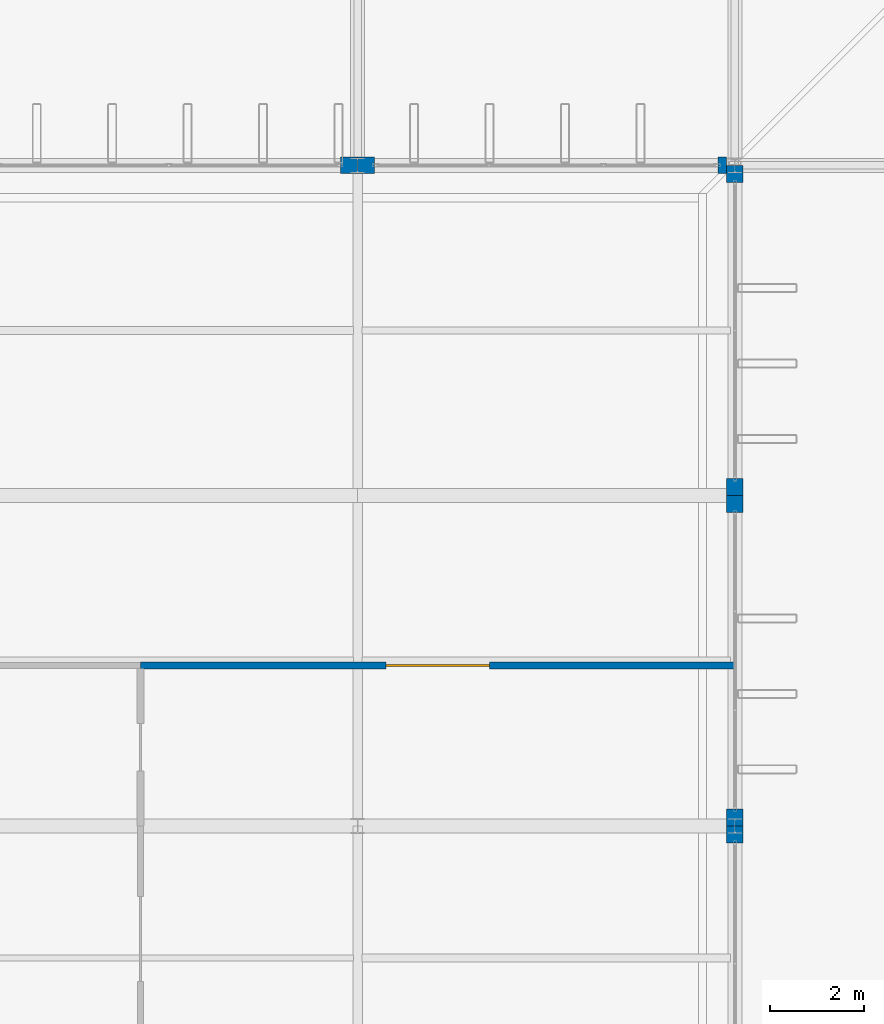
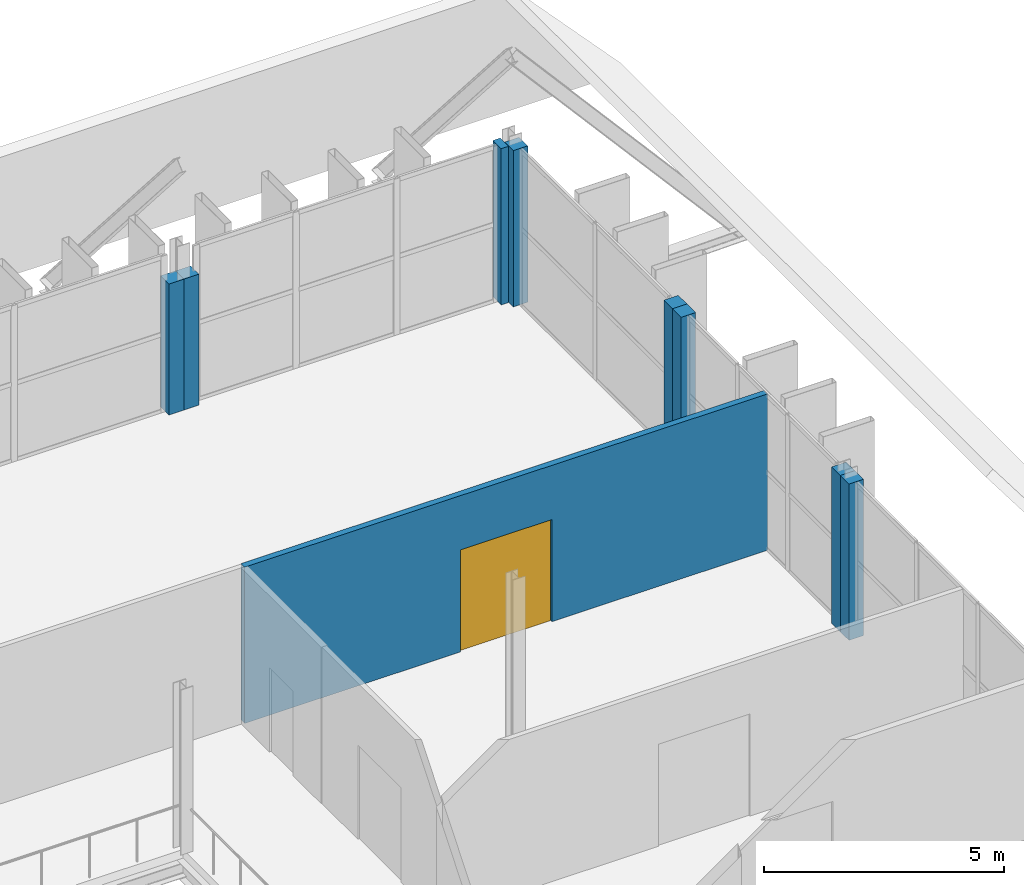
# One storey, part 83 of 93: 9 walls, 1 door, 1 opening.
"""IFC4 building model written with IfcOpenShell, lengths in metres."""

from ifc_helpers import new_model, si_unit, direction, frame, frame_2d, origin, place, context, subcontext, project, spatial, rectangle, extrude, material, layer, layer_set, type_object, element, fill, save


model = new_model("IFC4")

# Units and contexts
model_context = context("Model", 3, precision=1e-05, world=origin(), true_north=direction((0.0, 1.0)))
body_context = subcontext(model_context, "Body", "Model", "MODEL_VIEW")
ifc_project = project(units=[si_unit("LENGTHUNIT", "METRE"), si_unit("AREAUNIT", "SQUARE_METRE"), si_unit("VOLUMEUNIT", "CUBIC_METRE"), si_unit("PLANEANGLEUNIT", "RADIAN"), si_unit("MASSUNIT", "GRAM", prefix="KILO")], contexts=[model_context])

# Site, building, storey
site_placement = place(None, origin())
site = spatial("IfcSite", under=ifc_project, at=site_placement, CompositionType="ELEMENT")
building_placement = place(site_placement, origin())
building = spatial("IfcBuilding", under=site, at=building_placement, Name="Vekula Escarpment Museum", CompositionType="ELEMENT")
storey_placement = place(building_placement, frame((0.0, 0.0, 22.199951171875)))
storey = spatial("IfcBuildingStorey", under=building, at=storey_placement, Name="L05", CompositionType="ELEMENT", Elevation=22.199951171875)

# Walls
ifc_material_1 = material(Name="Inkisi arkosic sandstone masonry", Category="masonry")
ifc_layer_1 = layer(ifc_material_1, 0.35009765625)
ifc_layer_set_1 = layer_set([ifc_layer_1], Name="Inkisi arkosic sandstone masonry")
wall_type_1 = type_object("IfcWallType", Name="WL-ALM-350", PredefinedType="SOLIDWALL", material=ifc_layer_set_1)
wall_1_placement = place(storey_placement, frame((126.0, 76.0400390625, 0.0), z_axis=(0.0, 0.0, 1.0), x_axis=(0.0, 1.0, 0.0)))
element("IfcWall", 1, at=wall_1_placement, inside=storey, type_object=wall_type_1, Name="Facade Jamb Pier L05-0839B", PredefinedType="SOLIDWALL", context=body_context, shape_type="SweptSolid", body=[
    extrude(rectangle(XDim=0.35986328125, YDim=0.35009765625, at=frame_2d((0.179931640625, 0.0))), origin(), (0.0, 0.0, 1.0), 3.97998046875),
])
wall_2_placement = place(storey_placement, frame((126.0, 76.39990234375, 0.0), z_axis=(0.0, 0.0, 1.0), x_axis=(0.0, 1.0, 0.0)))
element("IfcWall", 2, at=wall_2_placement, inside=storey, type_object=wall_type_1, Name="Facade Jamb Pier L05-0840A", PredefinedType="SOLIDWALL", context=body_context, shape_type="SweptSolid", body=[
    extrude(rectangle(XDim=0.360107421875, YDim=0.35009765625, at=frame_2d((0.18017578125, 0.0))), origin(), (0.0, 0.0, 1.0), 3.97998046875),
])
wall_3_placement = place(storey_placement, frame((126.0, 83.0400390625, 0.0), z_axis=(0.0, 0.0, 1.0), x_axis=(0.0, 1.0, 0.0)))
element("IfcWall", 3, at=wall_3_placement, inside=storey, type_object=wall_type_1, Name="Facade Jamb Pier L05-0841B", PredefinedType="SOLIDWALL", context=body_context, shape_type="SweptSolid", body=[
    extrude(rectangle(XDim=0.35986328125, YDim=0.35009765625, at=frame_2d((0.179931640625, 0.0))), origin(), (0.0, 0.0, 1.0), 3.97998046875),
])
wall_4_placement = place(storey_placement, frame((126.0, 83.39990234375, 0.0), z_axis=(0.0, 0.0, 1.0), x_axis=(0.0, 1.0, 0.0)))
element("IfcWall", 4, at=wall_4_placement, inside=storey, type_object=wall_type_1, Name="Facade Jamb Pier L05-0842A", PredefinedType="SOLIDWALL", context=body_context, shape_type="SweptSolid", body=[
    extrude(rectangle(XDim=0.360107421875, YDim=0.35009765625, at=frame_2d((0.18017578125, 0.0))), origin(), (0.0, 0.0, 1.0), 3.97998046875),
])
wall_5_placement = place(storey_placement, frame((126.0, 90.0400390625, 0.0), z_axis=(0.0, 0.0, 1.0), x_axis=(0.0, 1.0, 0.0)))
element("IfcWall", 5, at=wall_5_placement, inside=storey, type_object=wall_type_1, Name="Facade Jamb Pier L05-0843B", PredefinedType="SOLIDWALL", context=body_context, shape_type="SweptSolid", body=[
    extrude(rectangle(XDim=0.35986328125, YDim=0.35009765625, at=frame_2d((0.179931640625, 0.0))), origin(), (0.0, 0.0, 1.0), 3.97998046875),
])
wall_6_placement = place(storey_placement, frame((125.821044921875, 90.39990234375, 0.0), z_axis=(0.0, 0.0, 1.0), x_axis=(-1.0, 0.0, 0.0)))
element("IfcWall", 6, at=wall_6_placement, inside=storey, type_object=wall_type_1, Name="Facade Jamb Pier L05-0844A", PredefinedType="SOLIDWALL", context=body_context, shape_type="SweptSolid", body=[
    extrude(rectangle(XDim=0.18115234375, YDim=0.35009765625, at=frame_2d((0.090576171875, 0.0))), origin(), (0.0, 0.0, 1.0), 3.97998046875),
])
for number, where, z_axis, x_axis, name in (
    (7, (118.360107421875, 90.39990234375, 0.0), (0.0, 0.0, 1.0), (-1.0, 0.0, 0.0), "Facade Jamb Pier L05-0845B"),
    (8, (118.0, 90.39990234375, 0.0), (0.0, 0.0, 1.0), (-1.0, 0.0, 0.0), "Facade Jamb Pier L05-0846A"),
):
    element("IfcWall", number, at=place(storey_placement, frame(where, z_axis=z_axis, x_axis=x_axis)), inside=storey, type_object=wall_type_1, Name=name, PredefinedType="SOLIDWALL", context=body_context, shape_type="SweptSolid", body=[
        extrude(rectangle(XDim=0.360107421875, YDim=0.35009765625, at=frame_2d((0.18017578125, 0.0))), origin(), (0.0, 0.0, 1.0), 3.3349609375),
    ])

# Wall, opening, door
ifc_material_2 = material(Name="Gypsum board dry-lined partition", Category="gypsum")
ifc_layer_2 = layer(ifc_material_2, 0.14990234375)
ifc_layer_set_2 = layer_set([ifc_layer_2], Name="Gypsum board dry-lined partition")
wall_type_2 = type_object("IfcWallType", Name="WL-PART-150", PredefinedType="PARTITIONING", material=ifc_layer_set_2)
wall_7_placement = place(storey_placement, frame((113.39990234375, 79.800048828125, 0.0), z_axis=(0.0, 0.0, 1.0), x_axis=(1.0, 0.0, 0.0)))
wall_7 = element("IfcWall", 9, at=wall_7_placement, inside=storey, type_object=wall_type_2, Name="Interior Partition WL-INT-L05-0026", PredefinedType="PARTITIONING", context=body_context, shape_type="SweptSolid", body=[
    extrude(rectangle(XDim=12.60009765625, YDim=0.14990234375, at=frame_2d((6.300048828125, 0.0))), origin(), (0.0, 0.0, 1.0), 3.97998046875),
])
opening_placement = place(wall_7_placement, frame((5.199951171875, 0.0, 0.0)))
opening = element("IfcOpeningElement", 10, at=opening_placement, cuts=wall_7, Name="Opening DR-GL22", PredefinedType="OPENING", context=body_context, shape_type="SweptSolid", body=[
    extrude(rectangle(XDim=2.199951171875, YDim=2.60009765625, at=frame_2d((1.10009765625, 1.300048828125))), frame((0.0, 0.0849609375, 0.0), z_axis=(0.0, -1.0, 0.0), x_axis=(1.0, 0.0, 0.0)), (0.0, 0.0, 1.0), 0.169921875),
])
ifc_material_3 = material(Name="Double acoustic timber gallery door", Category="wood")
door_type = type_object("IfcDoorType", Name="DR-GAL-2200x2600", OperationType="NOTDEFINED", PredefinedType="DOOR", material=ifc_material_3)
door_placement = place(opening_placement, origin())
door = element("IfcDoor", 11, at=door_placement, inside=storey, type_object=door_type, Name="Interior Door L05-026", OperationType="SINGLE_SWING_RIGHT", OverallHeight=2.60009765625, OverallWidth=2.199951171875, PredefinedType="DOOR", context=body_context, shape_type="SweptSolid", body=[
    extrude(rectangle(XDim=2.199951171875, YDim=2.60009765625, at=frame_2d((1.10009765625, 1.300048828125))), frame((0.0, 0.02490234375, 0.0), z_axis=(0.0, -1.0, 0.0), x_axis=(1.0, 0.0, 0.0)), (0.0, 0.0, 1.0), 0.050048828125),
])
fill(opening, door)

save(model, "model.ifc")
